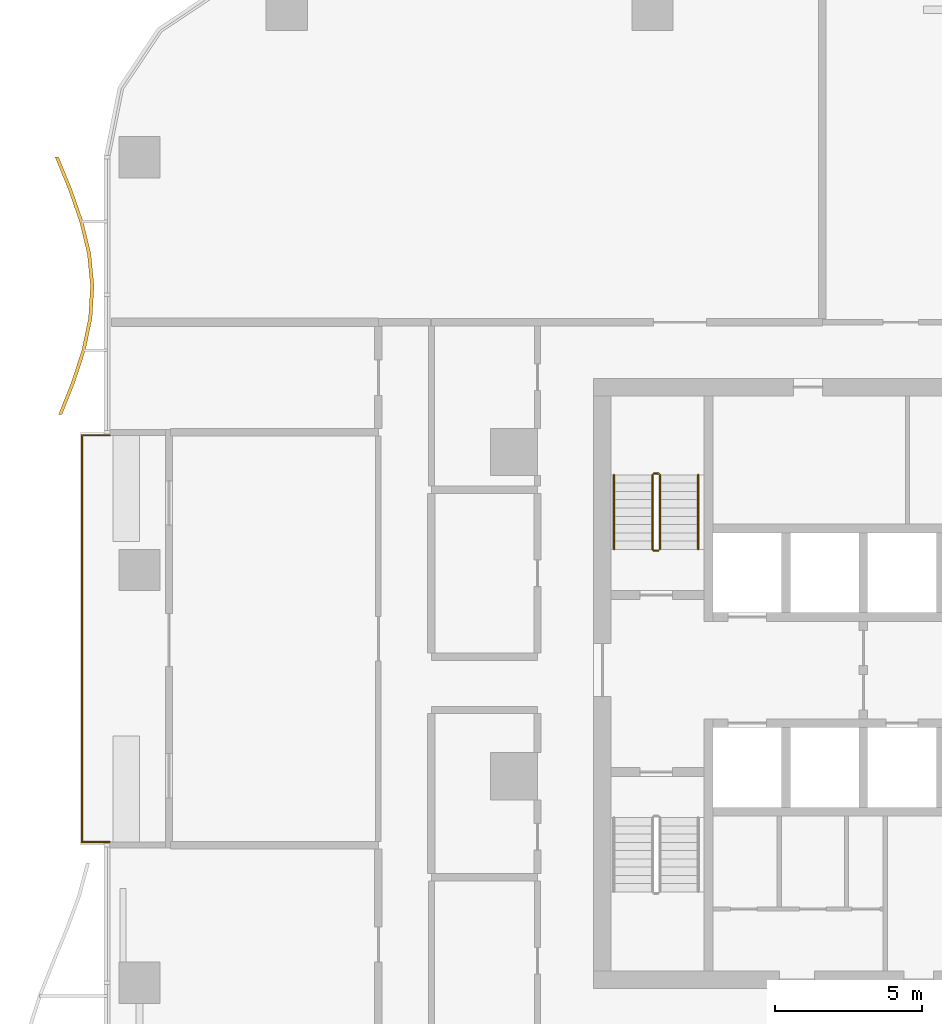
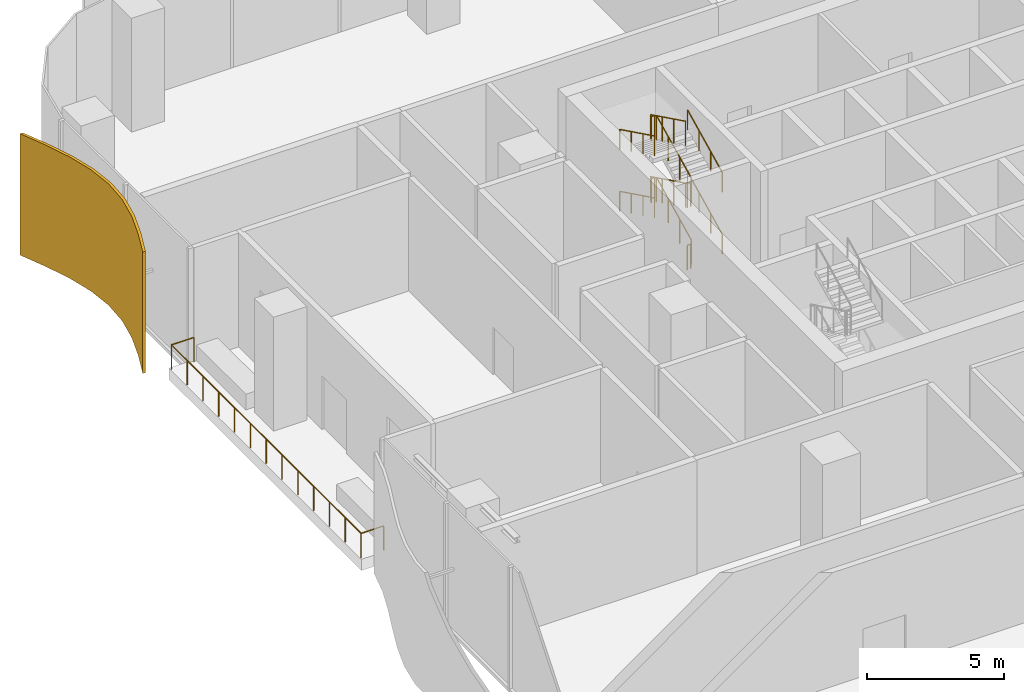
# One storey, part 17 of 20: 10 railings, 1 shading device.
"""IFC4 building model written with IfcOpenShell, lengths in metres."""

import ifcopenshell
import ifcopenshell.guid

model = None  # the IFC model being written
_history = None  # IfcOwnerHistory: only IFC2X3 demands one
_inside = {}  # id of a spatial element -> (the spatial element, [elements in it])
_under = {}  # id of a project, library or spatial element -> (it, [spatial elements below it])
_declared = {}  # id of a project -> (the project, [libraries it declares])
_typed = {}  # id of a type object -> (the type object, [elements of that type])
_made_of = {}  # id of a material, layer set ... -> (it, [elements and type objects made of it])


def new_model(schema):
    """Start an empty IFC model of exactly this schema.

    Asked for "IFC4X3", IfcOpenShell would pick the latest addendum, in which some entities
    have other attributes; the version numbers below select the first issue.
    IFC2X3 requires an IfcOwnerHistory on every rooted entity: one is made here for all.
    """
    global model, _history
    if schema == "IFC4X3":
        model = ifcopenshell.file(schema_version=(4, 3, 0, 0))
    else:
        model = ifcopenshell.file(schema=schema)
    _inside.clear()
    _under.clear()
    _declared.clear()
    _typed.clear()
    _made_of.clear()
    _history = None
    if model.schema == "IFC2X3":
        org = make("IfcOrganization", Name="unknown")
        user = make(
            "IfcPersonAndOrganization",
            ThePerson=make("IfcPerson", FamilyName="unknown"),
            TheOrganization=org,
        )
        app = make(
            "IfcApplication",
            ApplicationDeveloper=org,
            Version="unknown",
            ApplicationFullName="unknown",
            ApplicationIdentifier="unknown",
        )
        _history = make(
            "IfcOwnerHistory",
            OwningUser=user,
            OwningApplication=app,
            ChangeAction="ADDED",
            CreationDate=0,
        )
    return model


def make(cls, **values):
    """One entity of the class cls with the attributes given. An attribute that is None is left unset."""
    return model.create_entity(
        cls, **{name: value for name, value in values.items() if value is not None}
    )


def rooted(cls, **values):
    """An entity with a GlobalId (a new one), such as an element, a storey or a relation."""
    return make(cls, GlobalId=ifcopenshell.guid.new(), OwnerHistory=_history, **values)


def si_unit(unit_type, name, prefix=None):
    """IfcSIUnit, for example si_unit("LENGTHUNIT", "METRE", prefix="MILLI")."""
    return make("IfcSIUnit", UnitType=unit_type, Prefix=prefix, Name=name)


def assignment(units):
    """IfcUnitAssignment: the units of a project."""
    return None if units is None else make("IfcUnitAssignment", Units=units)


def point(xyz):
    """IfcCartesianPoint."""
    return None if xyz is None else make("IfcCartesianPoint", Coordinates=xyz)


def direction(xyz):
    """IfcDirection."""
    return None if xyz is None else make("IfcDirection", DirectionRatios=xyz)


def frame(location, z_axis=None, x_axis=None):
    """IfcAxis2Placement3D, a coordinate frame: its origin and axes. An axis left out is left unset."""
    return make(
        "IfcAxis2Placement3D",
        Location=point(location),
        Axis=direction(z_axis),
        RefDirection=direction(x_axis),
    )


def frame_2d(location, x_axis=None):
    """IfcAxis2Placement2D, a coordinate frame in the plane: its origin and x axis."""
    return make(
        "IfcAxis2Placement2D", Location=point(location), RefDirection=direction(x_axis)
    )


def origin():
    """The frame at (0, 0, 0) with its axes left unset."""
    return frame((0.0, 0.0, 0.0))


def origin_2d():
    """The frame at (0, 0) in the plane with its x axis left unset."""
    return frame_2d((0.0, 0.0))


def place(relative_to, where):
    """IfcLocalPlacement: puts the frame where relative to a parent placement (None: the world)."""
    return make(
        "IfcLocalPlacement", PlacementRelTo=relative_to, RelativePlacement=where
    )


def context(
    kind, dimensions, precision=None, world=None, true_north=None, identifier=None
):
    """IfcGeometricRepresentationContext, for example the 3D "Model" context."""
    return make(
        "IfcGeometricRepresentationContext",
        ContextIdentifier=identifier,
        ContextType=kind,
        CoordinateSpaceDimension=dimensions,
        Precision=precision,
        WorldCoordinateSystem=world,
        TrueNorth=true_north,
    )


def subcontext(parent, identifier, kind, view, scale=None):
    """IfcGeometricRepresentationSubContext, for example "Body" below "Model"."""
    return make(
        "IfcGeometricRepresentationSubContext",
        ContextIdentifier=identifier,
        ContextType=kind,
        ParentContext=parent,
        TargetScale=scale,
        TargetView=view,
    )


def project(units=None, contexts=None):
    """IfcProject with its units and contexts."""
    return rooted(
        "IfcProject",
        Name="project",
        RepresentationContexts=contexts,
        UnitsInContext=assignment(units),
    )


def spatial(cls, under=None, at=None, **own):
    """A site, building, storey or space (cls), placed at a placement, below another one or the project."""
    s = rooted(cls, ObjectPlacement=at, **own)
    if under is not None:
        _under.setdefault(under.id(), (under, []))[1].append(s)
    return s


def polyline(points):
    """IfcPolyline through the points."""
    return make("IfcPolyline", Points=[point(p) for p in points])


def profile(cls, at=None, kind="AREA", **sizes):
    """A parametric profile (cls). Its sizes go by their IFC names, for example OverallWidth=200.0."""
    return make(cls, ProfileType=kind, Position=at, **sizes)


def circle(**sizes):
    """IfcCircleProfileDef."""
    return profile("IfcCircleProfileDef", **sizes)


def outline(outer, holes=None, kind="AREA"):
    """IfcArbitraryClosedProfileDef: a profile drawn as a closed curve; with holes, ...WithVoids."""
    if holes is None:
        return make("IfcArbitraryClosedProfileDef", ProfileType=kind, OuterCurve=outer)
    return make(
        "IfcArbitraryProfileDefWithVoids",
        ProfileType=kind,
        OuterCurve=outer,
        InnerCurves=holes,
    )


def extrude(swept, where, along, depth):
    """IfcExtrudedAreaSolid: the profile swept, set in the frame where, extruded along a direction by depth."""
    return make(
        "IfcExtrudedAreaSolid",
        SweptArea=swept,
        Position=where,
        ExtrudedDirection=direction(along),
        Depth=depth,
    )


def shape(context_of_items, identifier, shape_type, items):
    """IfcShapeRepresentation: the items that make up one representation, for example the "Body"."""
    return make(
        "IfcShapeRepresentation",
        ContextOfItems=context_of_items,
        RepresentationIdentifier=identifier,
        RepresentationType=shape_type,
        Items=items,
    )


def material(Name=None, Category=None):
    """IfcMaterial."""
    return make("IfcMaterial", Name=Name, Category=Category)


def layer(
    of_material, thickness, ventilated=None, Name=None, Category=None, Priority=None
):
    """IfcMaterialLayer: one layer of a wall or slab, of a material (None: an air gap)."""
    return make(
        "IfcMaterialLayer",
        Material=of_material,
        LayerThickness=thickness,
        IsVentilated=ventilated,
        Name=Name,
        Category=Category,
        Priority=Priority,
    )


def layer_set(layers, Name=None):
    """IfcMaterialLayerSet."""
    return make("IfcMaterialLayerSet", MaterialLayers=layers, LayerSetName=Name)


def made_of(thing, what):
    """Note that an element or type object is made of a material, layer set ...; save() writes the relation."""
    if what is not None:
        _made_of.setdefault(what.id(), (what, []))[1].append(thing)
    return thing


def type_object(cls, material=None, **own):
    """A type object (cls), such as IfcWallType, which elements share."""
    return made_of(rooted(cls, **own), material)


def element(
    cls,
    number,
    at=None,
    inside=None,
    cuts=None,
    type_object=None,
    material=None,
    context=None,
    identifier="Body",
    shape_type=None,
    held_by="IfcProductDefinitionShape",
    body=None,
    shapes=None,
    **own,
):
    """One element of the class cls, such as IfcWall. Its Tag is "e" and its number.

    at: its placement. inside: the storey or other place that contains it. cuts: it is an
    opening in that element (IfcRelVoidsElement). A single representation is given by context,
    identifier, shape_type and body (its items); several are given by shapes. held_by: the class
    of the entity that holds the representations. save() writes the other relations.
    """
    e = rooted(cls, Tag="e%d" % number, ObjectPlacement=at, **own)
    if body is not None:
        shapes = [shape(context, identifier, shape_type, body)]
    if shapes is not None:
        e.Representation = make(held_by, Representations=shapes)
    if inside is not None:
        _inside.setdefault(inside.id(), (inside, []))[1].append(e)
    if cuts is not None:
        rooted(
            "IfcRelVoidsElement", RelatingBuildingElement=cuts, RelatedOpeningElement=e
        )
    if type_object is not None:
        _typed.setdefault(type_object.id(), (type_object, []))[1].append(e)
    return made_of(e, material)


def aggregate(whole, parts):
    """IfcRelAggregates: a whole, such as a stair, and the parts it consists of."""
    return rooted("IfcRelAggregates", RelatingObject=whole, RelatedObjects=parts)


def save(model, path):
    """Write the relations noted so far, then the file.

    IfcRelAggregates (storeys below a building ...), IfcRelContainedInSpatialStructure (elements
    in a storey), IfcRelDefinesByType, IfcRelAssociatesMaterial and IfcRelDeclares: one each for
    every whole, place, type object, material and project.
    """
    for whole, parts in _under.values():
        aggregate(whole, parts)
    for where, things in _inside.values():
        rooted(
            "IfcRelContainedInSpatialStructure",
            RelatedElements=things,
            RelatingStructure=where,
        )
    for kind, things in _typed.values():
        rooted("IfcRelDefinesByType", RelatedObjects=things, RelatingType=kind)
    for what, things in _made_of.values():
        rooted("IfcRelAssociatesMaterial", RelatedObjects=things, RelatingMaterial=what)
    for by, libraries in _declared.values():
        rooted("IfcRelDeclares", RelatingContext=by, RelatedDefinitions=libraries)
    model.write(path)


model = new_model("IFC4")

# Units and contexts
model_context = context("Model", 3, precision=1e-05, world=origin(), true_north=direction((0.0, 1.0)))
body_context = subcontext(model_context, "Body", "Model", "MODEL_VIEW")
ifc_project = project(units=[si_unit("LENGTHUNIT", "METRE"), si_unit("AREAUNIT", "SQUARE_METRE"), si_unit("VOLUMEUNIT", "CUBIC_METRE"), si_unit("PLANEANGLEUNIT", "RADIAN"), si_unit("MASSUNIT", "GRAM", prefix="KILO")], contexts=[model_context])

# Site, building, storey
site_placement = place(None, origin())
site = spatial("IfcSite", under=ifc_project, at=site_placement, CompositionType="ELEMENT")
building_placement = place(site_placement, origin())
building = spatial("IfcBuilding", under=site, at=building_placement, Name="Mopane Tessera Tower", CompositionType="ELEMENT")
storey_placement = place(building_placement, frame((0.0, 0.0, 25.5)))
storey = spatial("IfcBuildingStorey", under=building, at=storey_placement, Name="L04", CompositionType="ELEMENT", Elevation=25.5)

# Railings
ifc_material_1 = material(Name="Powder-coated steel balustrade", Category="steel")
railing_type_1 = type_object("IfcRailingType", Name="Escape stair guard 1100 mm", PredefinedType="GUARDRAIL", material=ifc_material_1)
railing_1_placement = place(storey_placement, frame((-12.14990234375, 7.699951171875, 0.137451171875)))
element("IfcRailing", 1, at=railing_1_placement, inside=storey, type_object=railing_type_1, Name="L04 ST2 stair guard 1", PredefinedType="GUARDRAIL", context=body_context, shape_type="SweptSolid", body=[
    extrude(circle(Radius=0.02392578125, at=origin_2d()), frame((0.0, 0.0, 1.076171875), z_axis=(0.0, 0.897604431175, 0.440801866075), x_axis=(-1.0, 0.0, 0.0)), (0.0, 0.0, 1.0), 2.807373046875),
    extrude(circle(Radius=0.02392578125, at=origin_2d()), frame((0.0, 2.52001953125, 2.3134765625), z_axis=(-0.707106781187, 0.707106781187, 0.0), x_axis=(-0.707106781187, -0.707106781187, 0.0)), (0.0, 0.0, 1.0), 0.07080078125),
    extrude(circle(Radius=0.02392578125, at=origin_2d()), frame((-0.050048828125, 2.570068359375, 2.3134765625), z_axis=(-1.0, 0.0, 0.0), x_axis=(0.0, -1.0, 0.0)), (0.0, 0.0, 1.0), 0.150146484375),
    extrude(circle(Radius=0.02099609375, at=origin_2d()), origin(), (0.0, 0.0, 1.0), 1.052001953125),
    extrude(circle(Radius=0.02099609375, at=origin_2d()), frame((0.0, 0.840087890625, 0.41259765625)), (0.0, 0.0, 1.0), 1.052001953125),
    extrude(circle(Radius=0.02099609375, at=origin_2d()), frame((0.0, 1.679931640625, 0.824951171875)), (0.0, 0.0, 1.0), 1.052001953125),
    extrude(circle(Radius=0.02099609375, at=origin_2d()), frame((0.0, 2.52001953125, 1.237548828125)), (0.0, 0.0, 1.0), 1.052001953125),
    extrude(circle(Radius=0.02099609375, at=origin_2d()), frame((-0.050048828125, 2.570068359375, 1.237548828125)), (0.0, 0.0, 1.0), 1.052001953125),
    extrude(circle(Radius=0.02099609375, at=origin_2d()), frame((-0.2001953125, 2.570068359375, 1.237548828125)), (0.0, 0.0, 1.0), 1.052001953125),
])
railing_2_placement = place(storey_placement, frame((-12.39990234375, 10.219970703125, 1.512451171875)))
element("IfcRailing", 2, at=railing_2_placement, inside=storey, type_object=railing_type_1, Name="L04 ST2 stair guard 2", PredefinedType="GUARDRAIL", context=body_context, shape_type="SweptSolid", body=[
    extrude(circle(Radius=0.02392578125, at=origin_2d()), frame((0.0, 0.0, 1.076171875), z_axis=(0.0, -0.897604431175, 0.440801866075), x_axis=(1.0, 0.0, 0.0)), (0.0, 0.0, 1.0), 2.807373046875),
    extrude(circle(Radius=0.02392578125, at=origin_2d()), frame((0.0, -2.52001953125, 2.3134765625), z_axis=(0.705375805398, -0.708833529934, 0.0), x_axis=(0.708833529934, 0.705375805398, 0.0)), (0.0, 0.0, 1.0), 0.070556640625),
    extrude(circle(Radius=0.02392578125, at=origin_2d()), frame((0.0498046875, -2.570068359375, 2.3134765625), z_axis=(1.0, 0.0, 0.0), x_axis=(0.0, 1.0, 0.0)), (0.0, 0.0, 1.0), 0.150146484375),
    extrude(circle(Radius=0.02099609375, at=origin_2d()), origin(), (0.0, 0.0, 1.0), 1.052001953125),
    extrude(circle(Radius=0.02099609375, at=origin_2d()), frame((0.0, -0.840087890625, 0.41259765625)), (0.0, 0.0, 1.0), 1.052001953125),
    extrude(circle(Radius=0.02099609375, at=origin_2d()), frame((0.0, -1.679931640625, 0.824951171875)), (0.0, 0.0, 1.0), 1.052001953125),
    extrude(circle(Radius=0.02099609375, at=origin_2d()), frame((0.0, -2.52001953125, 1.237548828125)), (0.0, 0.0, 1.0), 1.052001953125),
    extrude(circle(Radius=0.02099609375, at=origin_2d()), frame((0.0498046875, -2.570068359375, 1.237548828125)), (0.0, 0.0, 1.0), 1.052001953125),
    extrude(circle(Radius=0.02099609375, at=origin_2d()), frame((0.199951171875, -2.570068359375, 1.237548828125)), (0.0, 0.0, 1.0), 1.052001953125),
])
railing_3_placement = place(storey_placement, frame((-12.14990234375, 7.699951171875, 2.887451171875)))
element("IfcRailing", 3, at=railing_3_placement, inside=storey, type_object=railing_type_1, Name="L04 ST2 stair guard 3", PredefinedType="GUARDRAIL", context=body_context, shape_type="SweptSolid", body=[
    extrude(circle(Radius=0.02392578125, at=origin_2d()), frame((0.0, 0.0, 1.076171875), z_axis=(0.0, 0.897604431175, 0.440801866075), x_axis=(-1.0, 0.0, 0.0)), (0.0, 0.0, 1.0), 2.807373046875),
    extrude(circle(Radius=0.02392578125, at=origin_2d()), frame((0.0, 2.52001953125, 2.3134765625), z_axis=(-0.707106781187, 0.707106781187, 0.0), x_axis=(-0.707106781187, -0.707106781187, 0.0)), (0.0, 0.0, 1.0), 0.07080078125),
    extrude(circle(Radius=0.02392578125, at=origin_2d()), frame((-0.050048828125, 2.570068359375, 2.3134765625), z_axis=(-1.0, 0.0, 0.0), x_axis=(0.0, -1.0, 0.0)), (0.0, 0.0, 1.0), 0.150146484375),
    extrude(circle(Radius=0.02099609375, at=origin_2d()), origin(), (0.0, 0.0, 1.0), 1.052001953125),
    extrude(circle(Radius=0.02099609375, at=origin_2d()), frame((0.0, 0.840087890625, 0.41259765625)), (0.0, 0.0, 1.0), 1.052001953125),
    extrude(circle(Radius=0.02099609375, at=origin_2d()), frame((0.0, 1.679931640625, 0.824951171875)), (0.0, 0.0, 1.0), 1.052001953125),
    extrude(circle(Radius=0.02099609375, at=origin_2d()), frame((0.0, 2.52001953125, 1.237548828125)), (0.0, 0.0, 1.0), 1.052001953125),
    extrude(circle(Radius=0.02099609375, at=origin_2d()), frame((-0.050048828125, 2.570068359375, 1.237548828125)), (0.0, 0.0, 1.0), 1.052001953125),
    extrude(circle(Radius=0.02099609375, at=origin_2d()), frame((-0.2001953125, 2.570068359375, 1.237548828125)), (0.0, 0.0, 1.0), 1.052001953125),
])
railing_4_placement = place(storey_placement, frame((-12.39990234375, 10.219970703125, 4.262451171875)))
element("IfcRailing", 4, at=railing_4_placement, inside=storey, type_object=railing_type_1, Name="L04 ST2 stair guard 4", PredefinedType="GUARDRAIL", context=body_context, shape_type="SweptSolid", body=[
    extrude(circle(Radius=0.02392578125, at=origin_2d()), frame((0.0, 0.0, 1.076171875), z_axis=(0.0, -0.897604431175, 0.440801866075), x_axis=(1.0, 0.0, 0.0)), (0.0, 0.0, 1.0), 2.807373046875),
    extrude(circle(Radius=0.02099609375, at=origin_2d()), origin(), (0.0, 0.0, 1.0), 1.052001953125),
    extrude(circle(Radius=0.02099609375, at=origin_2d()), frame((0.0, -0.840087890625, 0.41259765625)), (0.0, 0.0, 1.0), 1.052001953125),
    extrude(circle(Radius=0.02099609375, at=origin_2d()), frame((0.0, -1.679931640625, 0.824951171875)), (0.0, 0.0, 1.0), 1.052001953125),
    extrude(circle(Radius=0.02099609375, at=origin_2d()), frame((0.0, -2.52001953125, 1.237548828125)), (0.0, 0.0, 1.0), 1.052001953125),
])
railing_5_placement = place(storey_placement, frame((-12.199951171875, 7.64990234375, 0.0)))
element("IfcRailing", 5, at=railing_5_placement, inside=storey, type_object=railing_type_1, Name="L04 ST2 stair guard 5", PredefinedType="GUARDRAIL", context=body_context, shape_type="SweptSolid", body=[
    extrude(circle(Radius=0.02392578125, at=origin_2d()), frame((0.0, 0.0, 1.076171875), z_axis=(-1.0, 0.0, 0.0), x_axis=(0.0, -1.0, 0.0)), (0.0, 0.0, 1.0), 0.150146484375),
    extrude(circle(Radius=0.02099609375, at=origin_2d()), origin(), (0.0, 0.0, 1.0), 1.052001953125),
    extrude(circle(Radius=0.02099609375, at=origin_2d()), frame((-0.150146484375, 0.0, 0.0)), (0.0, 0.0, 1.0), 1.052001953125),
])
ifc_material_2 = material(Name="Powder-coated steel balustrade", Category="steel")
railing_type_2 = type_object("IfcRailingType", Name="Escape stair handrail 900 mm", PredefinedType="HANDRAIL", material=ifc_material_2)
railing_6_placement = place(storey_placement, frame((-10.85009765625, 7.699951171875, 0.137451171875)))
element("IfcRailing", 6, at=railing_6_placement, inside=storey, type_object=railing_type_2, Name="L04 ST2 stair handrail 1", PredefinedType="HANDRAIL", context=body_context, shape_type="SweptSolid", body=[
    extrude(circle(Radius=0.02392578125, at=origin_2d()), frame((0.0, 0.0, 0.8759765625), z_axis=(0.0, 0.897604431175, 0.440801866075), x_axis=(-1.0, 0.0, 0.0)), (0.0, 0.0, 1.0), 2.807373046875),
    extrude(circle(Radius=0.02099609375, at=origin_2d()), origin(), (0.0, 0.0, 1.0), 0.851806640625),
    extrude(circle(Radius=0.02099609375, at=origin_2d()), frame((0.0, 0.840087890625, 0.41259765625)), (0.0, 0.0, 1.0), 0.851806640625),
    extrude(circle(Radius=0.02099609375, at=origin_2d()), frame((0.0, 1.679931640625, 0.824951171875)), (0.0, 0.0, 1.0), 0.851806640625),
    extrude(circle(Radius=0.02099609375, at=origin_2d()), frame((0.0, 2.52001953125, 1.237548828125)), (0.0, 0.0, 1.0), 0.851806640625),
])
railing_7_placement = place(storey_placement, frame((-13.699951171875, 10.219970703125, 1.512451171875)))
element("IfcRailing", 7, at=railing_7_placement, inside=storey, type_object=railing_type_2, Name="L04 ST2 stair handrail 2", PredefinedType="HANDRAIL", context=body_context, shape_type="SweptSolid", body=[
    extrude(circle(Radius=0.02392578125, at=origin_2d()), frame((0.0, 0.0, 0.8759765625), z_axis=(0.0, -0.897604431175, 0.440801866075), x_axis=(1.0, 0.0, 0.0)), (0.0, 0.0, 1.0), 2.807373046875),
    extrude(circle(Radius=0.02099609375, at=origin_2d()), origin(), (0.0, 0.0, 1.0), 0.851806640625),
    extrude(circle(Radius=0.02099609375, at=origin_2d()), frame((0.0, -0.840087890625, 0.41259765625)), (0.0, 0.0, 1.0), 0.851806640625),
    extrude(circle(Radius=0.02099609375, at=origin_2d()), frame((0.0, -1.679931640625, 0.824951171875)), (0.0, 0.0, 1.0), 0.851806640625),
    extrude(circle(Radius=0.02099609375, at=origin_2d()), frame((0.0, -2.52001953125, 1.237548828125)), (0.0, 0.0, 1.0), 0.851806640625),
])
railing_8_placement = place(storey_placement, frame((-10.85009765625, 7.699951171875, 2.887451171875)))
element("IfcRailing", 8, at=railing_8_placement, inside=storey, type_object=railing_type_2, Name="L04 ST2 stair handrail 3", PredefinedType="HANDRAIL", context=body_context, shape_type="SweptSolid", body=[
    extrude(circle(Radius=0.02392578125, at=origin_2d()), frame((0.0, 0.0, 0.8759765625), z_axis=(0.0, 0.897604431175, 0.440801866075), x_axis=(-1.0, 0.0, 0.0)), (0.0, 0.0, 1.0), 2.807373046875),
    extrude(circle(Radius=0.02099609375, at=origin_2d()), origin(), (0.0, 0.0, 1.0), 0.851806640625),
    extrude(circle(Radius=0.02099609375, at=origin_2d()), frame((0.0, 0.840087890625, 0.41259765625)), (0.0, 0.0, 1.0), 0.851806640625),
    extrude(circle(Radius=0.02099609375, at=origin_2d()), frame((0.0, 1.679931640625, 0.824951171875)), (0.0, 0.0, 1.0), 0.851806640625),
    extrude(circle(Radius=0.02099609375, at=origin_2d()), frame((0.0, 2.52001953125, 1.237548828125)), (0.0, 0.0, 1.0), 0.851806640625),
])
railing_9_placement = place(storey_placement, frame((-13.699951171875, 10.219970703125, 4.262451171875)))
element("IfcRailing", 9, at=railing_9_placement, inside=storey, type_object=railing_type_2, Name="L04 ST2 stair handrail 4", PredefinedType="HANDRAIL", context=body_context, shape_type="SweptSolid", body=[
    extrude(circle(Radius=0.02392578125, at=origin_2d()), frame((0.0, 0.0, 0.8759765625), z_axis=(0.0, -0.897604431175, 0.440801866075), x_axis=(1.0, 0.0, 0.0)), (0.0, 0.0, 1.0), 2.807373046875),
    extrude(circle(Radius=0.02099609375, at=origin_2d()), origin(), (0.0, 0.0, 1.0), 0.851806640625),
    extrude(circle(Radius=0.02099609375, at=origin_2d()), frame((0.0, -0.840087890625, 0.41259765625)), (0.0, 0.0, 1.0), 0.851806640625),
    extrude(circle(Radius=0.02099609375, at=origin_2d()), frame((0.0, -1.679931640625, 0.824951171875)), (0.0, 0.0, 1.0), 0.851806640625),
    extrude(circle(Radius=0.02099609375, at=origin_2d()), frame((0.0, -2.52001953125, 1.237548828125)), (0.0, 0.0, 1.0), 0.851806640625),
])
ifc_material_3 = material(Name="Stainless steel S316", Category="steel")
railing_type_3 = type_object("IfcRailingType", Name="Terrace guard 1100", PredefinedType="GUARDRAIL", material=ifc_material_3)
railing_10_placement = place(storey_placement, frame((-30.800048828125, 11.566650390625, 0.0)))
element("IfcRailing", 10, at=railing_10_placement, inside=storey, type_object=railing_type_3, Name="e:nw:L04:N3:guard", PredefinedType="GUARDRAIL", context=body_context, shape_type="SweptSolid", body=[
    extrude(circle(Radius=0.02392578125, at=origin_2d()), frame((0.0, 0.0, 1.076171875), z_axis=(-1.0, 0.0, 0.0), x_axis=(0.0, -1.0, 0.0)), (0.0, 0.0, 1.0), 0.949951171875),
    extrude(circle(Radius=0.02392578125, at=origin_2d()), frame((-0.949951171875, 0.0, 1.076171875), z_axis=(0.0, -1.0, 0.0), x_axis=(1.0, 0.0, 0.0)), (0.0, 0.0, 1.0), 13.800048828125),
    extrude(circle(Radius=0.02392578125, at=origin_2d()), frame((-0.949951171875, -13.800048828125, 1.076171875), z_axis=(1.0, 0.0, 0.0), x_axis=(0.0, 1.0, 0.0)), (0.0, 0.0, 1.0), 0.949951171875),
    extrude(circle(Radius=0.02099609375, at=origin_2d()), origin(), (0.0, 0.0, 1.0), 1.052001953125),
    extrude(circle(Radius=0.02099609375, at=origin_2d()), frame((-0.949951171875, 0.0, 0.0)), (0.0, 0.0, 1.0), 1.052001953125),
    extrude(circle(Radius=0.02099609375, at=origin_2d()), frame((-0.949951171875, -1.14990234375, 0.0)), (0.0, 0.0, 1.0), 1.052001953125),
    extrude(circle(Radius=0.02099609375, at=origin_2d()), frame((-0.949951171875, -2.300048828125, 0.0)), (0.0, 0.0, 1.0), 1.052001953125),
    extrude(circle(Radius=0.02099609375, at=origin_2d()), frame((-0.949951171875, -3.449951171875, 0.0)), (0.0, 0.0, 1.0), 1.052001953125),
    extrude(circle(Radius=0.02099609375, at=origin_2d()), frame((-0.949951171875, -4.60009765625, 0.0)), (0.0, 0.0, 1.0), 1.052001953125),
    extrude(circle(Radius=0.02099609375, at=origin_2d()), frame((-0.949951171875, -5.75, 0.0)), (0.0, 0.0, 1.0), 1.052001953125),
    extrude(circle(Radius=0.02099609375, at=origin_2d()), frame((-0.949951171875, -6.89990234375, 0.0)), (0.0, 0.0, 1.0), 1.052001953125),
    extrude(circle(Radius=0.02099609375, at=origin_2d()), frame((-0.949951171875, -8.050048828125, 0.0)), (0.0, 0.0, 1.0), 1.052001953125),
    extrude(circle(Radius=0.02099609375, at=origin_2d()), frame((-0.949951171875, -9.199951171875, 0.0)), (0.0, 0.0, 1.0), 1.052001953125),
    extrude(circle(Radius=0.02099609375, at=origin_2d()), frame((-0.949951171875, -10.35009765625, 0.0)), (0.0, 0.0, 1.0), 1.052001953125),
    extrude(circle(Radius=0.02099609375, at=origin_2d()), frame((-0.949951171875, -11.5, 0.0)), (0.0, 0.0, 1.0), 1.052001953125),
    extrude(circle(Radius=0.02099609375, at=origin_2d()), frame((-0.949951171875, -12.650146484375, 0.0)), (0.0, 0.0, 1.0), 1.052001953125),
    extrude(circle(Radius=0.02099609375, at=origin_2d()), frame((-0.949951171875, -13.800048828125, 0.0)), (0.0, 0.0, 1.0), 1.052001953125),
    extrude(circle(Radius=0.02099609375, at=origin_2d()), frame((0.0, -13.800048828125, 0.0)), (0.0, 0.0, 1.0), 1.052001953125),
])

# Shading device
ifc_material_4 = material(Name="Anodised aluminium louvre blades", Category="aluminium")
ifc_layer = layer(ifc_material_4, 0.1201171875)
ifc_layer_set = layer_set([ifc_layer], Name="Anodised aluminium louvre blades")
shading_device_type = type_object("IfcShadingDeviceType", Name="Wave louvre screen", PredefinedType="JALOUSIE", material=ifc_layer_set)
shading_device_placement = place(storey_placement, frame((0.0, 0.0, -0.340087890625)))
element("IfcShadingDevice", 11, at=shading_device_placement, inside=storey, type_object=shading_device_type, Name="e:lv:L04:W:0", PredefinedType="JALOUSIE", context=body_context, shape_type="SweptSolid", body=[
    extrude(outline(polyline([(-32.5400390625, 21.0), (-32.09375, 19.908447265625), (-31.71142578125, 18.816650390625), (-31.447998046875, 17.72509765625), (-31.34130859375, 16.63330078125), (-31.406494140625, 15.541748046875), (-31.63427734375, 14.449951171875), (-31.9921875, 13.3583984375), (-32.428466796875, 12.2666015625), (-32.54833984375, 12.2666015625), (-32.112060546875, 13.3583984375), (-31.75439453125, 14.449951171875), (-31.526611328125, 15.541748046875), (-31.461181640625, 16.63330078125), (-31.568115234375, 17.72509765625), (-31.83154296875, 18.816650390625), (-32.213623046875, 19.908447265625), (-32.659912109375, 21.0), (-32.5400390625, 21.0)])), origin(), (0.0, 0.0, 1.0), 5.39013671875),
])

save(model, "model.ifc")
